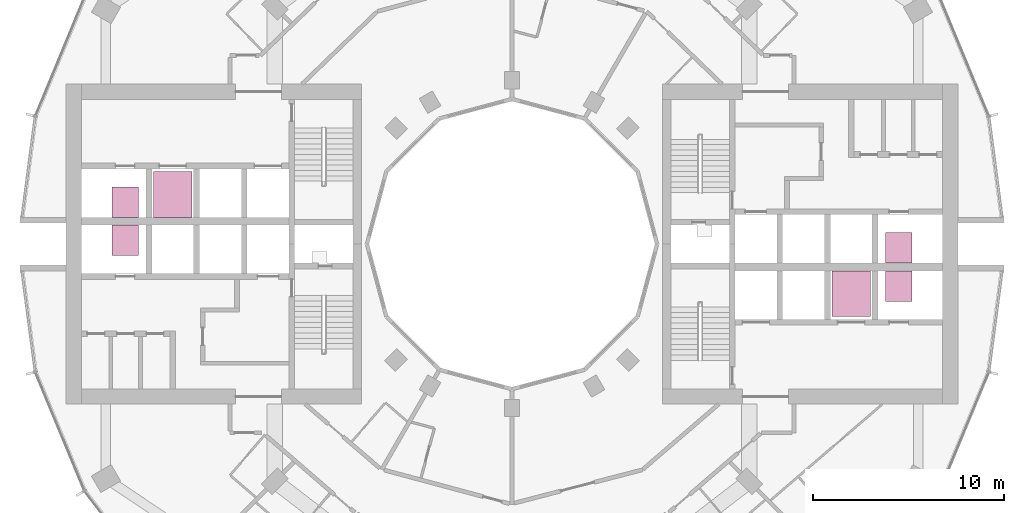
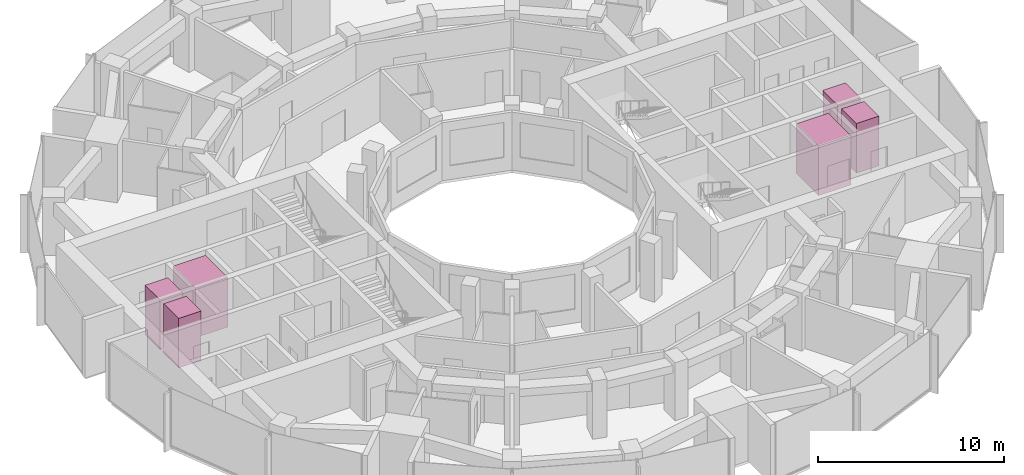
# One storey, part 15 of 15: 6 transport elements.
"""IFC4 building model written with IfcOpenShell, lengths in metres."""

from ifc_helpers import new_model, si_unit, direction, frame, origin, origin_2d, place, context, subcontext, project, spatial, rectangle, extrude, material, type_object, element, save


model = new_model("IFC4")

# Units and contexts
model_context = context("Model", 3, precision=1e-05, world=origin(), true_north=direction((0.0, 1.0)))
body_context = subcontext(model_context, "Body", "Model", "MODEL_VIEW")
ifc_project = project(units=[si_unit("LENGTHUNIT", "METRE"), si_unit("AREAUNIT", "SQUARE_METRE"), si_unit("VOLUMEUNIT", "CUBIC_METRE"), si_unit("PLANEANGLEUNIT", "RADIAN"), si_unit("MASSUNIT", "GRAM", prefix="KILO")], contexts=[model_context])

# Site, building, storey
site_placement = place(None, origin())
site = spatial("IfcSite", under=ifc_project, at=site_placement, CompositionType="ELEMENT")
building_placement = place(site_placement, origin())
building = spatial("IfcBuilding", under=site, at=building_placement, Name="Torre Brocal", CompositionType="ELEMENT")
storey_placement = place(building_placement, frame((0.0, 0.0, 101.39990234375)))
storey = spatial("IfcBuildingStorey", under=building, at=storey_placement, Name="L23", CompositionType="ELEMENT", Elevation=101.39990234375)

# Transport elements
ifc_material_1 = material(Name="Stainless steel AISI 316", Category="steel")
transport_element_type_1 = type_object("IfcTransportElementType", Name="PASSENGER LIFT 2000", PredefinedType="ELEVATOR", material=ifc_material_1)
for number, where, z_axis, x_axis, name in (
    (1, (97.800048828125, 72.39990234375, 0.0), (0.0, 0.0, 1.0), (1.0, 0.0, 0.0), "LOW RISE LIFT E-LR2"),
    (2, (62.199951171875, 77.60009765625, 0.0), (0.0, 0.0, 1.0), (1.0, 0.0, 0.0), "LOW RISE LIFT W-LR2"),
):
    element("IfcTransportElement", number, at=place(storey_placement, frame(where, z_axis=z_axis, x_axis=x_axis)), inside=storey, type_object=transport_element_type_1, Name=name, PredefinedType="ELEVATOR", context=body_context, shape_type="SweptSolid", body=[
        extrude(rectangle(XDim=2.0, YDim=2.39990234375, at=origin_2d()), origin(), (0.0, 0.0, 1.0), 3.25),
    ])
ifc_material_2 = material(Name="Stainless steel AISI 316", Category="steel")
transport_element_type_2 = type_object("IfcTransportElementType", Name="PASSENGER LIFT 900", PredefinedType="ELEVATOR", material=ifc_material_2)
for number, where, z_axis, x_axis, name in (
    (3, (100.300048828125, 74.800048828125, 0.0), (0.0, 0.0, 1.0), (1.0, 0.0, 0.0), "LOW RISE LIFT E-LR1"),
    (4, (100.300048828125, 72.800048828125, 0.0), (0.0, 0.0, 1.0), (1.0, 0.0, 0.0), "LOW RISE LIFT E-LR3"),
    (5, (59.699951171875, 75.199951171875, 0.0), (0.0, 0.0, 1.0), (1.0, 0.0, 0.0), "LOW RISE LIFT W-LR1"),
    (6, (59.699951171875, 77.199951171875, 0.0), (0.0, 0.0, 1.0), (1.0, 0.0, 0.0), "LOW RISE LIFT W-LR3"),
):
    element("IfcTransportElement", number, at=place(storey_placement, frame(where, z_axis=z_axis, x_axis=x_axis)), inside=storey, type_object=transport_element_type_2, Name=name, PredefinedType="ELEVATOR", context=body_context, shape_type="SweptSolid", body=[
        extrude(rectangle(XDim=1.39990234375, YDim=1.60009765625, at=origin_2d()), origin(), (0.0, 0.0, 1.0), 3.25),
    ])

save(model, "model.ifc")
